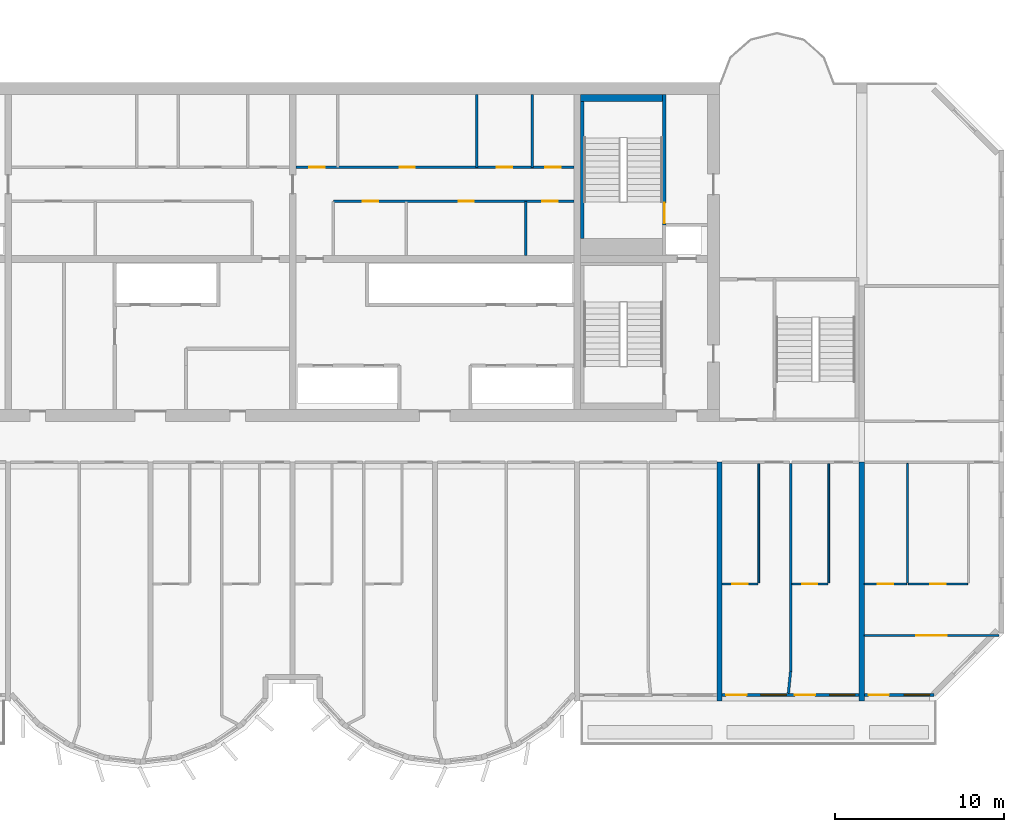
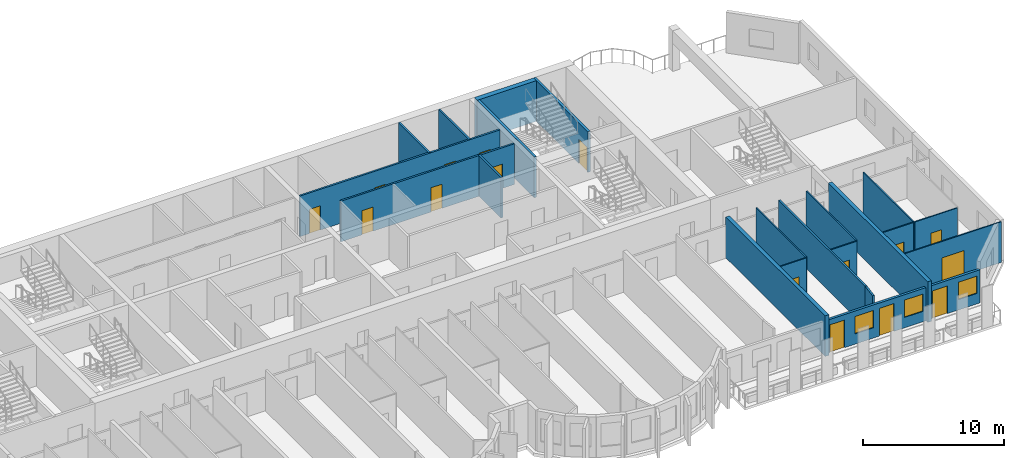
# One storey, part 8 of 13: 22 walls, 16 doors, 3 windows, 19 openings.
"""IFC4 building model written with IfcOpenShell, lengths in metres."""

from ifc_helpers import new_model, si_unit, direction, frame, frame_2d, origin, place, context, subcontext, project, spatial, rectangle, extrude, source, transform, mapped, material, layer, layer_set, type_object, element, fill, save


model = new_model("IFC4")

# Units and contexts
model_context = context("Model", 3, precision=1e-05, world=origin(), true_north=direction((0.0, 1.0)))
body_context = subcontext(model_context, "Body", "Model", "MODEL_VIEW")
ifc_project = project(units=[si_unit("LENGTHUNIT", "METRE"), si_unit("AREAUNIT", "SQUARE_METRE"), si_unit("VOLUMEUNIT", "CUBIC_METRE"), si_unit("PLANEANGLEUNIT", "RADIAN"), si_unit("MASSUNIT", "GRAM", prefix="KILO")], contexts=[model_context])

# Site, building, storey
site_placement = place(None, origin())
site = spatial("IfcSite", under=ifc_project, at=site_placement, CompositionType="ELEMENT")
building_placement = place(site_placement, origin())
building = spatial("IfcBuilding", under=site, at=building_placement, Name="Vanashikhar Sky Hotel", CompositionType="ELEMENT")
storey_placement = place(building_placement, frame((0.0, 0.0, 170.60009765625)))
storey = spatial("IfcBuildingStorey", under=building, at=storey_placement, Name="L41", CompositionType="ELEMENT", Elevation=170.60009765625)

# Walls
ifc_material_1 = material(Name="Concrete M60", Category="concrete")
ifc_layer_1 = layer(ifc_material_1, 0.300048828125)
ifc_layer_set_1 = layer_set([ifc_layer_1], Name="RC shear wall 300 Concrete M60")
wall_type_1 = type_object("IfcWallType", Name="RC shear wall 300 Concrete M60", PredefinedType="SHEAR", material=ifc_layer_set_1)
shared_shape_1 = source(origin(), body_context, "Body", "SweptSolid", [
    extrude(rectangle(XDim=14.10009765625, YDim=0.300048828125, at=frame_2d((7.050048828125, 0.0))), origin(), (0.0, 0.0, 1.0), 3.52001953125),
])
for number, where, z_axis, x_axis, name in (
    (1, (75.60009765625, 5.5, 0.0), (0.0, 0.0, 1.0), (0.0, 1.0, 0.0), "CW-L41-XW10-1"),
    (2, (84.0, 5.5, 0.0), (0.0, 0.0, 1.0), (0.0, 1.0, 0.0), "CW-L41-XW11-1"),
):
    element("IfcWall", number, at=place(storey_placement, frame(where, z_axis=z_axis, x_axis=x_axis)), inside=storey, type_object=wall_type_1, Name=name, PredefinedType="SHEAR", context=body_context, shape_type="MappedRepresentation", body=[
        mapped(shared_shape_1, transform((0.0, 0.0, 0.0), scale=1.0)),
    ])

# Wall, openings, window, door
ifc_material_2 = material(Name="Concrete M50", Category="concrete")
ifc_layer_2 = layer(ifc_material_2, 0.199951171875)
ifc_layer_set_2 = layer_set([ifc_layer_2], Name="Front window wall 200")
wall_type_2 = type_object("IfcWallType", Name="Front window wall 200", PredefinedType="SOLIDWALL", material=ifc_layer_set_2)
shared_shape_2 = source(origin(), body_context, "Body", "SweptSolid", [
    extrude(rectangle(XDim=4.10498046875, YDim=0.199951171875, at=frame_2d((2.052490234375, 0.0))), origin(), (0.0, 0.0, 1.0), 2.869873046875),
])
wall_1_placement = place(storey_placement, frame((84.14990234375, 5.85009765625, 0.0), z_axis=(0.0, 0.0, 1.0), x_axis=(1.0, 0.0, 0.0)))
wall_1 = element("IfcWall", 3, at=wall_1_placement, inside=storey, type_object=wall_type_2, Name="Front window wall", PredefinedType="SOLIDWALL", context=body_context, shape_type="MappedRepresentation", body=[
    mapped(shared_shape_2, transform((0.0, 0.0, 0.0), scale=1.0)),
])
shared_shape_3 = source(origin(), body_context, "Body", "SweptSolid", [
    extrude(rectangle(XDim=1.199951171875, YDim=2.39990234375, at=frame_2d((0.60009765625, 1.199951171875))), frame((0.0, 0.10986328125, 0.0), z_axis=(0.0, -1.0, 0.0), x_axis=(1.0, 0.0, 0.0)), (0.0, 0.0, 1.0), 0.219970703125),
])
opening_1_placement = place(wall_1_placement, frame((0.25, 0.0, 0.0)))
opening_1 = element("IfcOpeningElement", 4, at=opening_1_placement, cuts=wall_1, Name="Opening BD-10", PredefinedType="OPENING", context=body_context, shape_type="MappedRepresentation", body=[
    mapped(shared_shape_3, transform((0.0, 0.0, 0.0), scale=1.0)),
])
shared_shape_4 = source(origin(), body_context, "Body", "SweptSolid", [
    extrude(rectangle(XDim=1.5, YDim=1.5, at=frame_2d((0.75, 0.75))), frame((0.0, 0.10986328125, 0.0), z_axis=(0.0, -1.0, 0.0), x_axis=(1.0, 0.0, 0.0)), (0.0, 0.0, 1.0), 0.219970703125),
])
opening_2_placement = place(wall_1_placement, frame((2.35498046875, 0.0, 0.89990234375)))
opening_2 = element("IfcOpeningElement", 5, at=opening_2_placement, cuts=wall_1, Name="Opening WN-1", PredefinedType="OPENING", context=body_context, shape_type="MappedRepresentation", body=[
    mapped(shared_shape_4, transform((0.0, 0.0, 0.0), scale=1.0)),
])
ifc_material_3 = material(Name="Glass", Category="glass")
window_type = type_object("IfcWindowType", Name="Window 1500 x 1500", PartitioningType="SINGLE_PANEL", PredefinedType="WINDOW", material=ifc_material_3)
shared_shape_5 = source(origin(), body_context, "Body", "SweptSolid", [
    extrude(rectangle(XDim=1.5, YDim=1.5, at=frame_2d((0.75, 0.75))), frame((0.0, 0.030029296875, 0.0), z_axis=(0.0, -1.0, 0.0), x_axis=(1.0, 0.0, 0.0)), (0.0, 0.0, 1.0), 0.06005859375),
])
window_1_placement = place(opening_2_placement, origin())
window_1 = element("IfcWindow", 6, at=window_1_placement, inside=storey, type_object=window_type, Name="Window WN-1", OverallHeight=1.5, OverallWidth=1.5, PartitioningType="SINGLE_PANEL", PredefinedType="WINDOW", context=body_context, shape_type="MappedRepresentation", body=[
    mapped(shared_shape_5, transform((0.0, 0.0, 0.0), scale=1.0)),
])
fill(opening_2, window_1)
ifc_material_4 = material(Name="Aluminium", Category="aluminium")
door_type_1 = type_object("IfcDoorType", Name="Balcony sliding door 1200 x 2400", OperationType="NOTDEFINED", PredefinedType="DOOR", material=ifc_material_4)
shared_shape_6 = source(origin(), body_context, "Body", "SweptSolid", [
    extrude(rectangle(XDim=1.199951171875, YDim=2.39990234375, at=frame_2d((0.60009765625, 1.199951171875))), frame((0.0, 0.02490234375, 0.0), z_axis=(0.0, -1.0, 0.0), x_axis=(1.0, 0.0, 0.0)), (0.0, 0.0, 1.0), 0.050048828125),
])
door_1_placement = place(opening_1_placement, origin())
door_1 = element("IfcDoor", 7, at=door_1_placement, inside=storey, type_object=door_type_1, Name="Balcony sliding door", OperationType="SLIDING_TO_RIGHT", OverallHeight=2.39990234375, OverallWidth=1.199951171875, PredefinedType="DOOR", context=body_context, shape_type="MappedRepresentation", body=[
    mapped(shared_shape_6, transform((0.0, 0.0, 0.0), scale=1.0)),
])
fill(opening_1, door_1)

# Wall, openings, windows, doors
shared_shape_7 = source(origin(), body_context, "Body", "SweptSolid", [
    extrude(rectangle(XDim=8.10009765625, YDim=0.199951171875, at=frame_2d((4.050048828125, 0.0))), origin(), (0.0, 0.0, 1.0), 2.869873046875),
])
wall_2_placement = place(storey_placement, frame((75.75, 5.85009765625, 0.0), z_axis=(0.0, 0.0, 1.0), x_axis=(1.0, 0.0, 0.0)))
wall_2 = element("IfcWall", 8, at=wall_2_placement, inside=storey, type_object=wall_type_2, Name="Front window wall", PredefinedType="SOLIDWALL", context=body_context, shape_type="MappedRepresentation", body=[
    mapped(shared_shape_7, transform((0.0, 0.0, 0.0), scale=1.0)),
])
opening_3_placement = place(wall_2_placement, frame((0.25, 0.0, 0.0)))
opening_3 = element("IfcOpeningElement", 9, at=opening_3_placement, cuts=wall_2, Name="Opening BD-08", PredefinedType="OPENING", context=body_context, shape_type="MappedRepresentation", body=[
    mapped(shared_shape_3, transform((0.0, 0.0, 0.0), scale=1.0)),
])
opening_4_placement = place(wall_2_placement, frame((2.300048828125, 0.0, 0.89990234375)))
opening_4 = element("IfcOpeningElement", 10, at=opening_4_placement, cuts=wall_2, Name="Opening WN-1", PredefinedType="OPENING", context=body_context, shape_type="MappedRepresentation", body=[
    mapped(shared_shape_4, transform((0.0, 0.0, 0.0), scale=1.0)),
])
opening_5_placement = place(wall_2_placement, frame((4.300048828125, 0.0, 0.0)))
opening_5 = element("IfcOpeningElement", 11, at=opening_5_placement, cuts=wall_2, Name="Opening BD-09", PredefinedType="OPENING", context=body_context, shape_type="MappedRepresentation", body=[
    mapped(shared_shape_3, transform((0.0, 0.0, 0.0), scale=1.0)),
])
opening_6_placement = place(wall_2_placement, frame((6.35009765625, 0.0, 0.89990234375)))
opening_6 = element("IfcOpeningElement", 12, at=opening_6_placement, cuts=wall_2, Name="Opening WN-1", PredefinedType="OPENING", context=body_context, shape_type="MappedRepresentation", body=[
    mapped(shared_shape_4, transform((0.0, 0.0, 0.0), scale=1.0)),
])
window_2_placement = place(opening_4_placement, origin())
window_2 = element("IfcWindow", 13, at=window_2_placement, inside=storey, type_object=window_type, Name="Window WN-1", OverallHeight=1.5, OverallWidth=1.5, PartitioningType="SINGLE_PANEL", PredefinedType="WINDOW", context=body_context, shape_type="MappedRepresentation", body=[
    mapped(shared_shape_5, transform((0.0, 0.0, 0.0), scale=1.0)),
])
fill(opening_4, window_2)
window_3_placement = place(opening_6_placement, origin())
window_3 = element("IfcWindow", 14, at=window_3_placement, inside=storey, type_object=window_type, Name="Window WN-1", OverallHeight=1.5, OverallWidth=1.5, PartitioningType="SINGLE_PANEL", PredefinedType="WINDOW", context=body_context, shape_type="MappedRepresentation", body=[
    mapped(shared_shape_5, transform((0.0, 0.0, 0.0), scale=1.0)),
])
fill(opening_6, window_3)
door_2_placement = place(opening_3_placement, origin())
door_2 = element("IfcDoor", 15, at=door_2_placement, inside=storey, type_object=door_type_1, Name="Balcony sliding door", OperationType="SLIDING_TO_RIGHT", OverallHeight=2.39990234375, OverallWidth=1.199951171875, PredefinedType="DOOR", context=body_context, shape_type="MappedRepresentation", body=[
    mapped(shared_shape_6, transform((0.0, 0.0, 0.0), scale=1.0)),
])
fill(opening_3, door_2)
door_3_placement = place(opening_5_placement, origin())
door_3 = element("IfcDoor", 16, at=door_3_placement, inside=storey, type_object=door_type_1, Name="Balcony sliding door", OperationType="SLIDING_TO_LEFT", OverallHeight=2.39990234375, OverallWidth=1.199951171875, PredefinedType="DOOR", context=body_context, shape_type="MappedRepresentation", body=[
    mapped(shared_shape_6, transform((0.0, 0.0, 0.0), scale=1.0)),
])
fill(opening_5, door_3)

# Walls
ifc_layer_3 = layer(ifc_material_2, 0.199951171875)
ifc_layer_set_3 = layer_set([ifc_layer_3], Name="Stair infill wall 200")
wall_type_3 = type_object("IfcWallType", Name="Stair infill wall 200", PredefinedType="SOLIDWALL", material=ifc_layer_set_3)
shared_shape_8 = source(origin(), body_context, "Body", "SweptSolid", [
    extrude(rectangle(XDim=8.099853515625, YDim=0.199951171875, at=frame_2d((4.0498046875, 0.0))), origin(), (0.0, 0.0, 1.0), 3.52001953125),
])
wall_3_placement = place(storey_placement, frame((67.5, 32.800048828125, 0.0), z_axis=(0.0, 0.0, 1.0), x_axis=(0.0, 1.0, 0.0)))
element("IfcWall", 17, at=wall_3_placement, inside=storey, type_object=wall_type_3, Name="Stair infill wall 200", PredefinedType="SOLIDWALL", context=body_context, shape_type="MappedRepresentation", body=[
    mapped(shared_shape_8, transform((0.0, 0.0, 0.0), scale=1.0)),
])
ifc_material_5 = material(Name="Gypsum board partition")
ifc_layer_4 = layer(ifc_material_5, 0.14990234375)
ifc_layer_set_4 = layer_set([ifc_layer_4], Name="Service partition 150")
wall_type_4 = type_object("IfcWallType", Name="Service partition 150", PredefinedType="PARTITIONING", material=ifc_layer_set_4)
shared_shape_9 = source(origin(), body_context, "Body", "SweptSolid", [
    extrude(rectangle(XDim=3.199951171875, YDim=0.14990234375, at=frame_2d((1.60009765625, 0.0))), origin(), (0.0, 0.0, 1.0), 3.52001953125),
])
wall_4_placement = place(storey_placement, frame((64.175048828125, 31.800048828125, 0.0), z_axis=(0.0, 0.0, 1.0), x_axis=(0.0, 1.0, 0.0)))
element("IfcWall", 18, at=wall_4_placement, inside=storey, type_object=wall_type_4, Name="Service partition 150", PredefinedType="PARTITIONING", context=body_context, shape_type="MappedRepresentation", body=[
    mapped(shared_shape_9, transform((0.0, 0.0, 0.0), scale=1.0)),
])

# Wall, openings, doors
shared_shape_10 = source(origin(), body_context, "Body", "SweptSolid", [
    extrude(rectangle(XDim=14.199951171875, YDim=0.14990234375, at=frame_2d((7.10009765625, 0.0))), origin(), (0.0, 0.0, 1.0), 3.52001953125),
])
wall_5_placement = place(storey_placement, frame((67.0, 35.0, 0.0), z_axis=(0.0, 0.0, 1.0), x_axis=(-1.0, 0.0, 0.0)))
wall_5 = element("IfcWall", 19, at=wall_5_placement, inside=storey, type_object=wall_type_4, Name="Service partition 150", PredefinedType="PARTITIONING", context=body_context, shape_type="MappedRepresentation", body=[
    mapped(shared_shape_10, transform((0.0, 0.0, 0.0), scale=1.0)),
])
shared_shape_11 = source(origin(), body_context, "Body", "SweptSolid", [
    extrude(rectangle(XDim=0.89990234375, YDim=2.10009765625, at=frame_2d((0.449951171875, 1.050048828125))), frame((0.0, 0.0849609375, 0.0), z_axis=(0.0, -1.0, 0.0), x_axis=(1.0, 0.0, 0.0)), (0.0, 0.0, 1.0), 0.169921875),
])
opening_7_placement = place(wall_5_placement, frame((0.9619140625, 0.0, 0.0)))
opening_7 = element("IfcOpeningElement", 20, at=opening_7_placement, cuts=wall_5, Name="Opening DC-4-A", PredefinedType="OPENING", context=body_context, shape_type="MappedRepresentation", body=[
    mapped(shared_shape_11, transform((0.0, 0.0, 0.0), scale=1.0)),
])
opening_8_placement = place(wall_5_placement, frame((5.906005859375, 0.0, 0.0)))
opening_8 = element("IfcOpeningElement", 21, at=opening_8_placement, cuts=wall_5, Name="Opening DC-4-A", PredefinedType="OPENING", context=body_context, shape_type="MappedRepresentation", body=[
    mapped(shared_shape_11, transform((0.0, 0.0, 0.0), scale=1.0)),
])
opening_9_placement = place(wall_5_placement, frame((11.555908203125, 0.0, 0.0)))
opening_9 = element("IfcOpeningElement", 22, at=opening_9_placement, cuts=wall_5, Name="Opening DC-4-A", PredefinedType="OPENING", context=body_context, shape_type="MappedRepresentation", body=[
    mapped(shared_shape_11, transform((0.0, 0.0, 0.0), scale=1.0)),
])
ifc_material_6 = material(Name="Steel", Category="steel")
door_type_2 = type_object("IfcDoorType", Name="Service door 900 FD60", OperationType="NOTDEFINED", PredefinedType="DOOR", material=ifc_material_6)
shared_shape_12 = source(origin(), body_context, "Body", "SweptSolid", [
    extrude(rectangle(XDim=0.89990234375, YDim=2.10009765625, at=frame_2d((0.449951171875, 1.050048828125))), frame((0.0, 0.02490234375, 0.0), z_axis=(0.0, -1.0, 0.0), x_axis=(1.0, 0.0, 0.0)), (0.0, 0.0, 1.0), 0.050048828125),
])
door_4_placement = place(opening_7_placement, origin())
door_4 = element("IfcDoor", 23, at=door_4_placement, inside=storey, type_object=door_type_2, Name="Service door 900 FD60", OperationType="SINGLE_SWING_RIGHT", OverallHeight=2.10009765625, OverallWidth=0.89990234375, PredefinedType="DOOR", context=body_context, shape_type="MappedRepresentation", body=[
    mapped(shared_shape_12, transform((0.0, 0.0, 0.0), scale=1.0)),
])
fill(opening_7, door_4)
door_5_placement = place(opening_8_placement, origin())
door_5 = element("IfcDoor", 24, at=door_5_placement, inside=storey, type_object=door_type_2, Name="Service door 900 FD60", OperationType="SINGLE_SWING_LEFT", OverallHeight=2.10009765625, OverallWidth=0.89990234375, PredefinedType="DOOR", context=body_context, shape_type="MappedRepresentation", body=[
    mapped(shared_shape_12, transform((0.0, 0.0, 0.0), scale=1.0)),
])
fill(opening_8, door_5)
door_6_placement = place(opening_9_placement, origin())
door_6 = element("IfcDoor", 25, at=door_6_placement, inside=storey, type_object=door_type_2, Name="Service door 900 FD60", OperationType="SINGLE_SWING_RIGHT", OverallHeight=2.10009765625, OverallWidth=0.89990234375, PredefinedType="DOOR", context=body_context, shape_type="MappedRepresentation", body=[
    mapped(shared_shape_12, transform((0.0, 0.0, 0.0), scale=1.0)),
])
fill(opening_9, door_6)

shared_shape_13 = source(origin(), body_context, "Body", "SweptSolid", [
    extrude(rectangle(XDim=16.39990234375, YDim=0.14990234375, at=frame_2d((8.199951171875, 0.0))), origin(), (0.0, 0.0, 1.0), 3.52001953125),
])
wall_6_placement = place(storey_placement, frame((67.0, 37.0, 0.0), z_axis=(0.0, 0.0, 1.0), x_axis=(-1.0, 0.0, 0.0)))
wall_6 = element("IfcWall", 26, at=wall_6_placement, inside=storey, type_object=wall_type_4, Name="Service partition 150", PredefinedType="PARTITIONING", context=body_context, shape_type="MappedRepresentation", body=[
    mapped(shared_shape_13, transform((0.0, 0.0, 0.0), scale=1.0)),
])
opening_10_placement = place(wall_6_placement, frame((0.780029296875, 0.0, 0.0)))
opening_10 = element("IfcOpeningElement", 27, at=opening_10_placement, cuts=wall_6, Name="Opening DC-4-A", PredefinedType="OPENING", context=body_context, shape_type="MappedRepresentation", body=[
    mapped(shared_shape_11, transform((0.0, 0.0, 0.0), scale=1.0)),
])
opening_11_placement = place(wall_6_placement, frame((3.64990234375, 0.0, 0.0)))
opening_11 = element("IfcOpeningElement", 28, at=opening_11_placement, cuts=wall_6, Name="Opening DC-4-A", PredefinedType="OPENING", context=body_context, shape_type="MappedRepresentation", body=[
    mapped(shared_shape_11, transform((0.0, 0.0, 0.0), scale=1.0)),
])
opening_12_placement = place(wall_6_placement, frame((9.389892578125, 0.0, 0.0)))
opening_12 = element("IfcOpeningElement", 29, at=opening_12_placement, cuts=wall_6, Name="Opening DC-4-A", PredefinedType="OPENING", context=body_context, shape_type="MappedRepresentation", body=[
    mapped(shared_shape_11, transform((0.0, 0.0, 0.0), scale=1.0)),
])
opening_13_placement = place(wall_6_placement, frame((14.719970703125, 0.0, 0.0)))
opening_13 = element("IfcOpeningElement", 30, at=opening_13_placement, cuts=wall_6, Name="Opening DC-4-A", PredefinedType="OPENING", context=body_context, shape_type="MappedRepresentation", body=[
    mapped(shared_shape_11, transform((0.0, 0.0, 0.0), scale=1.0)),
])
door_7_placement = place(opening_10_placement, origin())
door_7 = element("IfcDoor", 31, at=door_7_placement, inside=storey, type_object=door_type_2, Name="Service door 900 FD60", OperationType="SINGLE_SWING_LEFT", OverallHeight=2.10009765625, OverallWidth=0.89990234375, PredefinedType="DOOR", context=body_context, shape_type="MappedRepresentation", body=[
    mapped(shared_shape_12, transform((0.0, 0.0, 0.0), scale=1.0)),
])
fill(opening_10, door_7)
door_8_placement = place(opening_11_placement, origin())
door_8 = element("IfcDoor", 32, at=door_8_placement, inside=storey, type_object=door_type_2, Name="Service door 900 FD60", OperationType="SINGLE_SWING_LEFT", OverallHeight=2.10009765625, OverallWidth=0.89990234375, PredefinedType="DOOR", context=body_context, shape_type="MappedRepresentation", body=[
    mapped(shared_shape_12, transform((0.0, 0.0, 0.0), scale=1.0)),
])
fill(opening_11, door_8)
door_9_placement = place(opening_12_placement, origin())
door_9 = element("IfcDoor", 33, at=door_9_placement, inside=storey, type_object=door_type_2, Name="Service door 900 FD60", OperationType="SINGLE_SWING_LEFT", OverallHeight=2.10009765625, OverallWidth=0.89990234375, PredefinedType="DOOR", context=body_context, shape_type="MappedRepresentation", body=[
    mapped(shared_shape_12, transform((0.0, 0.0, 0.0), scale=1.0)),
])
fill(opening_12, door_9)
door_10_placement = place(opening_13_placement, origin())
door_10 = element("IfcDoor", 34, at=door_10_placement, inside=storey, type_object=door_type_2, Name="Service door 900 FD60", OperationType="SINGLE_SWING_RIGHT", OverallHeight=2.10009765625, OverallWidth=0.89990234375, PredefinedType="DOOR", context=body_context, shape_type="MappedRepresentation", body=[
    mapped(shared_shape_12, transform((0.0, 0.0, 0.0), scale=1.0)),
])
fill(opening_13, door_10)

# Walls
shared_shape_14 = source(origin(), body_context, "Body", "SweptSolid", [
    extrude(rectangle(XDim=4.300048828125, YDim=0.14990234375, at=frame_2d((2.14990234375, 0.0))), origin(), (0.0, 0.0, 1.0), 3.52001953125),
])
for number, where, z_axis, x_axis, name in (
    (35, (64.5400390625, 37.0, 0.0), (0.0, 0.0, 1.0), (0.0, 1.0, 0.0), "Service partition 150"),
    (36, (61.260009765625, 37.0, 0.0), (0.0, 0.0, 1.0), (0.0, 1.0, 0.0), "Service partition 150"),
):
    element("IfcWall", number, at=place(storey_placement, frame(where, z_axis=z_axis, x_axis=x_axis)), inside=storey, type_object=wall_type_4, Name=name, PredefinedType="PARTITIONING", context=body_context, shape_type="MappedRepresentation", body=[
        mapped(shared_shape_14, transform((0.0, 0.0, 0.0), scale=1.0)),
    ])

# Wall, opening, door
ifc_layer_5 = layer(ifc_material_2, 0.199951171875)
ifc_layer_set_5 = layer_set([ifc_layer_5], Name="Stair wall 200")
wall_type_5 = type_object("IfcWallType", Name="Stair wall 200", PredefinedType="SOLIDWALL", material=ifc_layer_set_5)
shared_shape_15 = source(origin(), body_context, "Body", "SweptSolid", [
    extrude(rectangle(XDim=7.699951171875, YDim=0.199951171875, at=frame_2d((3.85009765625, 0.0))), origin(), (0.0, 0.0, 1.0), 3.52001953125),
])
wall_7_placement = place(storey_placement, frame((72.35009765625, 33.60009765625, 0.0), z_axis=(0.0, 0.0, 1.0), x_axis=(0.0, 1.0, 0.0)))
wall_7 = element("IfcWall", 37, at=wall_7_placement, inside=storey, type_object=wall_type_5, Name="Stair wall 200", PredefinedType="SOLIDWALL", context=body_context, shape_type="MappedRepresentation", body=[
    mapped(shared_shape_15, transform((0.0, 0.0, 0.0), scale=1.0)),
])
shared_shape_16 = source(origin(), body_context, "Body", "SweptSolid", [
    extrude(rectangle(XDim=1.199951171875, YDim=2.10009765625, at=frame_2d((0.60009765625, 1.050048828125))), frame((0.0, 0.10986328125, 0.0), z_axis=(0.0, -1.0, 0.0), x_axis=(1.0, 0.0, 0.0)), (0.0, 0.0, 1.0), 0.219970703125),
])
opening_14_placement = place(wall_7_placement, frame((0.10009765625, 0.0, 0.0)))
opening_14 = element("IfcOpeningElement", 38, at=opening_14_placement, cuts=wall_7, Name="Opening DC-1", PredefinedType="OPENING", context=body_context, shape_type="MappedRepresentation", body=[
    mapped(shared_shape_16, transform((0.0, 0.0, 0.0), scale=1.0)),
])
door_type_3 = type_object("IfcDoorType", Name="Stair door 1200 FD120", OperationType="NOTDEFINED", PredefinedType="DOOR", material=ifc_material_6)
shared_shape_17 = source(origin(), body_context, "Body", "SweptSolid", [
    extrude(rectangle(XDim=1.199951171875, YDim=2.10009765625, at=frame_2d((0.60009765625, 1.050048828125))), frame((0.0, 0.02490234375, 0.0), z_axis=(0.0, -1.0, 0.0), x_axis=(1.0, 0.0, 0.0)), (0.0, 0.0, 1.0), 0.050048828125),
])
door_11_placement = place(opening_14_placement, origin())
door_11 = element("IfcDoor", 39, at=door_11_placement, inside=storey, type_object=door_type_3, Name="Stair door 1200 FD120", OperationType="SINGLE_SWING_RIGHT", OverallHeight=2.10009765625, OverallWidth=1.199951171875, PredefinedType="DOOR", context=body_context, shape_type="MappedRepresentation", body=[
    mapped(shared_shape_17, transform((0.0, 0.0, 0.0), scale=1.0)),
])
fill(opening_14, door_11)

# Walls
ifc_layer_6 = layer(ifc_material_2, 0.39990234375)
ifc_layer_set_6 = layer_set([ifc_layer_6], Name="Stair infill wall 400")
wall_type_6 = type_object("IfcWallType", Name="Stair infill wall 400", PredefinedType="SOLIDWALL", material=ifc_layer_set_6)
shared_shape_18 = source(origin(), body_context, "Body", "SweptSolid", [
    extrude(rectangle(XDim=4.85009765625, YDim=0.39990234375, at=frame_2d((2.425048828125, 0.0))), origin(), (0.0, 0.0, 1.0), 3.52001953125),
])
wall_8_placement = place(storey_placement, frame((67.39990234375, 41.10009765625, 0.0), z_axis=(0.0, 0.0, 1.0), x_axis=(1.0, 0.0, 0.0)))
element("IfcWall", 40, at=wall_8_placement, inside=storey, type_object=wall_type_6, Name="Stair infill wall 400", PredefinedType="SOLIDWALL", context=body_context, shape_type="MappedRepresentation", body=[
    mapped(shared_shape_18, transform((0.0, 0.0, 0.0), scale=1.0)),
])
ifc_material_7 = material(Name="Gypsum plasterboard partition")
ifc_layer_7 = layer(ifc_material_7, 0.10009765625)
ifc_layer_set_7 = layer_set([ifc_layer_7], Name="Wet room partition 100")
wall_type_7 = type_object("IfcWallType", Name="Wet room partition 100", PredefinedType="PARTITIONING", material=ifc_layer_set_7)
shared_shape_19 = source(origin(), body_context, "Body", "SweptSolid", [
    extrude(rectangle(XDim=7.0498046875, YDim=0.10009765625, at=frame_2d((3.52490234375, 0.0))), origin(), (0.0, 0.0, 1.0), 3.52001953125),
])
for number, where, z_axis, x_axis, name in (
    (41, (77.925048828125, 12.47509765625, 0.0), (0.0, 0.0, 1.0), (0.0, 1.0, 0.0), "W-L41-PW044"),
    (42, (82.050048828125, 12.47509765625, 0.0), (0.0, 0.0, 1.0), (0.0, 1.0, 0.0), "W-L41-PW047"),
    (43, (86.699951171875, 12.47509765625, 0.0), (0.0, 0.0, 1.0), (0.0, 1.0, 0.0), "W-L41-PW052"),
):
    element("IfcWall", number, at=place(storey_placement, frame(where, z_axis=z_axis, x_axis=x_axis)), inside=storey, type_object=wall_type_7, Name=name, PredefinedType="PARTITIONING", context=body_context, shape_type="MappedRepresentation", body=[
        mapped(shared_shape_19, transform((0.0, 0.0, 0.0), scale=1.0)),
    ])

# Wall, opening, door
shared_shape_20 = source(origin(), body_context, "Body", "SweptSolid", [
    extrude(rectangle(XDim=3.5, YDim=0.10009765625, at=frame_2d((1.75, 0.0))), origin(), (0.0, 0.0, 1.0), 3.52001953125),
])
wall_9_placement = place(storey_placement, frame((86.75, 12.39990234375, 0.0), z_axis=(0.0, 0.0, 1.0), x_axis=(1.0, 0.0, 0.0)))
wall_9 = element("IfcWall", 44, at=wall_9_placement, inside=storey, type_object=wall_type_7, Name="W-L41-PW053", PredefinedType="PARTITIONING", context=body_context, shape_type="MappedRepresentation", body=[
    mapped(shared_shape_20, transform((0.0, 0.0, 0.0), scale=1.0)),
])
shared_shape_21 = source(origin(), body_context, "Body", "SweptSolid", [
    extrude(rectangle(XDim=0.89990234375, YDim=2.10009765625, at=frame_2d((0.449951171875, 1.050048828125))), frame((0.0, 0.06005859375, 0.0), z_axis=(0.0, -1.0, 0.0), x_axis=(1.0, 0.0, 0.0)), (0.0, 0.0, 1.0), 0.1201171875),
])
opening_15_placement = place(wall_9_placement, frame((1.300048828125, 0.0, 0.0)))
opening_15 = element("IfcOpeningElement", 45, at=opening_15_placement, cuts=wall_9, Name="Opening D-02", PredefinedType="OPENING", context=body_context, shape_type="MappedRepresentation", body=[
    mapped(shared_shape_21, transform((0.0, 0.0, 0.0), scale=1.0)),
])
ifc_material_8 = material(Name="Timber door", Category="wood")
door_type_4 = type_object("IfcDoorType", Name="Internal door 900", OperationType="NOTDEFINED", PredefinedType="DOOR", material=ifc_material_8)
door_12_placement = place(opening_15_placement, origin())
door_12 = element("IfcDoor", 46, at=door_12_placement, inside=storey, type_object=door_type_4, Name="D-L41-031", OperationType="SINGLE_SWING_RIGHT", OverallHeight=2.10009765625, OverallWidth=0.89990234375, PredefinedType="DOOR", context=body_context, shape_type="MappedRepresentation", body=[
    mapped(shared_shape_12, transform((0.0, 0.0, 0.0), scale=1.0)),
])
fill(opening_15, door_12)

shared_shape_22 = source(origin(), body_context, "Body", "SweptSolid", [
    extrude(rectangle(XDim=2.5, YDim=0.10009765625, at=frame_2d((1.25, 0.0))), origin(), (0.0, 0.0, 1.0), 3.52001953125),
])
wall_10_placement = place(storey_placement, frame((84.14990234375, 12.39990234375, 0.0), z_axis=(0.0, 0.0, 1.0), x_axis=(1.0, 0.0, 0.0)))
wall_10 = element("IfcWall", 47, at=wall_10_placement, inside=storey, type_object=wall_type_7, Name="W-L41-PW054", PredefinedType="PARTITIONING", context=body_context, shape_type="MappedRepresentation", body=[
    mapped(shared_shape_22, transform((0.0, 0.0, 0.0), scale=1.0)),
])
opening_16_placement = place(wall_10_placement, frame((0.800048828125, 0.0, 0.0)))
opening_16 = element("IfcOpeningElement", 48, at=opening_16_placement, cuts=wall_10, Name="Opening D-02", PredefinedType="OPENING", context=body_context, shape_type="MappedRepresentation", body=[
    mapped(shared_shape_21, transform((0.0, 0.0, 0.0), scale=1.0)),
])
door_13_placement = place(opening_16_placement, origin())
door_13 = element("IfcDoor", 49, at=door_13_placement, inside=storey, type_object=door_type_4, Name="D-L41-032", OperationType="SINGLE_SWING_RIGHT", OverallHeight=2.10009765625, OverallWidth=0.89990234375, PredefinedType="DOOR", context=body_context, shape_type="MappedRepresentation", body=[
    mapped(shared_shape_12, transform((0.0, 0.0, 0.0), scale=1.0)),
])
fill(opening_16, door_13)

# Walls
ifc_layer_8 = layer(ifc_material_7, 0.14990234375)
ifc_layer_set_8 = layer_set([ifc_layer_8], Name="Corridor and demising partition 150")
wall_type_8 = type_object("IfcWallType", Name="Corridor and demising partition 150", PredefinedType="PARTITIONING", material=ifc_layer_set_8)
shared_shape_23 = source(origin(), body_context, "Body", "SweptSolid", [
    extrude(rectangle(XDim=12.27490234375, YDim=0.14990234375, at=frame_2d((6.137451171875, 0.0))), origin(), (0.0, 0.0, 1.0), 3.52001953125),
])
wall_11_placement = place(storey_placement, frame((79.800048828125, 7.25, 0.0), z_axis=(0.0, 0.0, 1.0), x_axis=(0.0, 1.0, 0.0)))
element("IfcWall", 50, at=wall_11_placement, inside=storey, type_object=wall_type_8, Name="W-L41-PW050", PredefinedType="PARTITIONING", context=body_context, shape_type="MappedRepresentation", body=[
    mapped(shared_shape_23, transform((0.0, 0.0, 0.0), scale=1.0)),
])
shared_shape_24 = source(origin(), body_context, "Body", "SweptSolid", [
    extrude(rectangle(XDim=1.306640625, YDim=0.14990234375, at=frame_2d((0.6533203125, 0.0))), origin(), (0.0, 0.0, 1.0), 3.52001953125),
])
wall_12_placement = place(storey_placement, frame((79.669921875, 5.949951171875, 0.0), z_axis=(0.0, 0.0, 1.0), x_axis=(0.099596223396, 0.99502793543, 0.0)))
element("IfcWall", 51, at=wall_12_placement, inside=storey, type_object=wall_type_8, Name="W-L41-PW050B0", PredefinedType="PARTITIONING", context=body_context, shape_type="MappedRepresentation", body=[
    mapped(shared_shape_24, transform((0.0, 0.0, 0.0), scale=1.0)),
])

# Wall, opening, door
shared_shape_25 = source(origin(), body_context, "Body", "SweptSolid", [
    extrude(rectangle(XDim=2.125, YDim=0.10009765625, at=frame_2d((1.0625, 0.0))), origin(), (0.0, 0.0, 1.0), 3.52001953125),
])
wall_13_placement = place(storey_placement, frame((75.75, 12.39990234375, 0.0), z_axis=(0.0, 0.0, 1.0), x_axis=(1.0, 0.0, 0.0)))
wall_13 = element("IfcWall", 52, at=wall_13_placement, inside=storey, type_object=wall_type_7, Name="W-L41-PW045", PredefinedType="PARTITIONING", context=body_context, shape_type="MappedRepresentation", body=[
    mapped(shared_shape_25, transform((0.0, 0.0, 0.0), scale=1.0)),
])
opening_17_placement = place(wall_13_placement, frame((0.612060546875, 0.0, 0.0)))
opening_17 = element("IfcOpeningElement", 53, at=opening_17_placement, cuts=wall_13, Name="Opening D-02", PredefinedType="OPENING", context=body_context, shape_type="MappedRepresentation", body=[
    mapped(shared_shape_21, transform((0.0, 0.0, 0.0), scale=1.0)),
])
door_14_placement = place(opening_17_placement, origin())
door_14 = element("IfcDoor", 54, at=door_14_placement, inside=storey, type_object=door_type_4, Name="D-L41-027", OperationType="SINGLE_SWING_RIGHT", OverallHeight=2.10009765625, OverallWidth=0.89990234375, PredefinedType="DOOR", context=body_context, shape_type="MappedRepresentation", body=[
    mapped(shared_shape_12, transform((0.0, 0.0, 0.0), scale=1.0)),
])
fill(opening_17, door_14)

wall_14_placement = place(storey_placement, frame((79.875, 12.39990234375, 0.0), z_axis=(0.0, 0.0, 1.0), x_axis=(1.0, 0.0, 0.0)))
wall_14 = element("IfcWall", 55, at=wall_14_placement, inside=storey, type_object=wall_type_7, Name="W-L41-PW048", PredefinedType="PARTITIONING", context=body_context, shape_type="MappedRepresentation", body=[
    mapped(shared_shape_25, transform((0.0, 0.0, 0.0), scale=1.0)),
])
opening_18_placement = place(wall_14_placement, frame((0.612060546875, 0.0, 0.0)))
opening_18 = element("IfcOpeningElement", 56, at=opening_18_placement, cuts=wall_14, Name="Opening D-02", PredefinedType="OPENING", context=body_context, shape_type="MappedRepresentation", body=[
    mapped(shared_shape_21, transform((0.0, 0.0, 0.0), scale=1.0)),
])
door_15_placement = place(opening_18_placement, origin())
door_15 = element("IfcDoor", 57, at=door_15_placement, inside=storey, type_object=door_type_4, Name="D-L41-029", OperationType="SINGLE_SWING_RIGHT", OverallHeight=2.10009765625, OverallWidth=0.89990234375, PredefinedType="DOOR", context=body_context, shape_type="MappedRepresentation", body=[
    mapped(shared_shape_12, transform((0.0, 0.0, 0.0), scale=1.0)),
])
fill(opening_18, door_15)

shared_shape_26 = source(origin(), body_context, "Body", "SweptSolid", [
    extrude(rectangle(XDim=7.9501953125, YDim=0.10009765625, at=frame_2d((3.97509765625, 0.0))), origin(), (0.0, 0.0, 1.0), 3.52001953125),
])
wall_15_placement = place(storey_placement, frame((84.14990234375, 9.362060546875, 0.0), z_axis=(0.0, 0.0, 1.0), x_axis=(1.0, 0.0, 0.0)))
wall_15 = element("IfcWall", 58, at=wall_15_placement, inside=storey, type_object=wall_type_7, Name="W-L41-PW055", PredefinedType="PARTITIONING", context=body_context, shape_type="MappedRepresentation", body=[
    mapped(shared_shape_26, transform((0.0, 0.0, 0.0), scale=1.0)),
])
shared_shape_27 = source(origin(), body_context, "Body", "SweptSolid", [
    extrude(rectangle(XDim=1.800048828125, YDim=2.10009765625, at=frame_2d((0.89990234375, 1.050048828125))), frame((0.0, 0.06005859375, 0.0), z_axis=(0.0, -1.0, 0.0), x_axis=(1.0, 0.0, 0.0)), (0.0, 0.0, 1.0), 0.1201171875),
])
opening_19_placement = place(wall_15_placement, frame((3.074951171875, 0.0, 0.0)))
opening_19 = element("IfcOpeningElement", 59, at=opening_19_placement, cuts=wall_15, Name="Opening D-08", PredefinedType="OPENING", context=body_context, shape_type="MappedRepresentation", body=[
    mapped(shared_shape_27, transform((0.0, 0.0, 0.0), scale=1.0)),
])
door_type_5 = type_object("IfcDoorType", Name="Double leaf door 1800", OperationType="NOTDEFINED", PredefinedType="DOOR", material=ifc_material_8)
shared_shape_28 = source(origin(), body_context, "Body", "SweptSolid", [
    extrude(rectangle(XDim=1.800048828125, YDim=2.10009765625, at=frame_2d((0.89990234375, 1.050048828125))), frame((0.0, 0.02490234375, 0.0), z_axis=(0.0, -1.0, 0.0), x_axis=(1.0, 0.0, 0.0)), (0.0, 0.0, 1.0), 0.050048828125),
])
door_16_placement = place(opening_19_placement, origin())
door_16 = element("IfcDoor", 60, at=door_16_placement, inside=storey, type_object=door_type_5, Name="D-L41-033", OperationType="DOUBLE_DOOR_SINGLE_SWING", OverallHeight=2.10009765625, OverallWidth=1.800048828125, PredefinedType="DOOR", context=body_context, shape_type="MappedRepresentation", body=[
    mapped(shared_shape_28, transform((0.0, 0.0, 0.0), scale=1.0)),
])
fill(opening_19, door_16)

save(model, "model.ifc")
